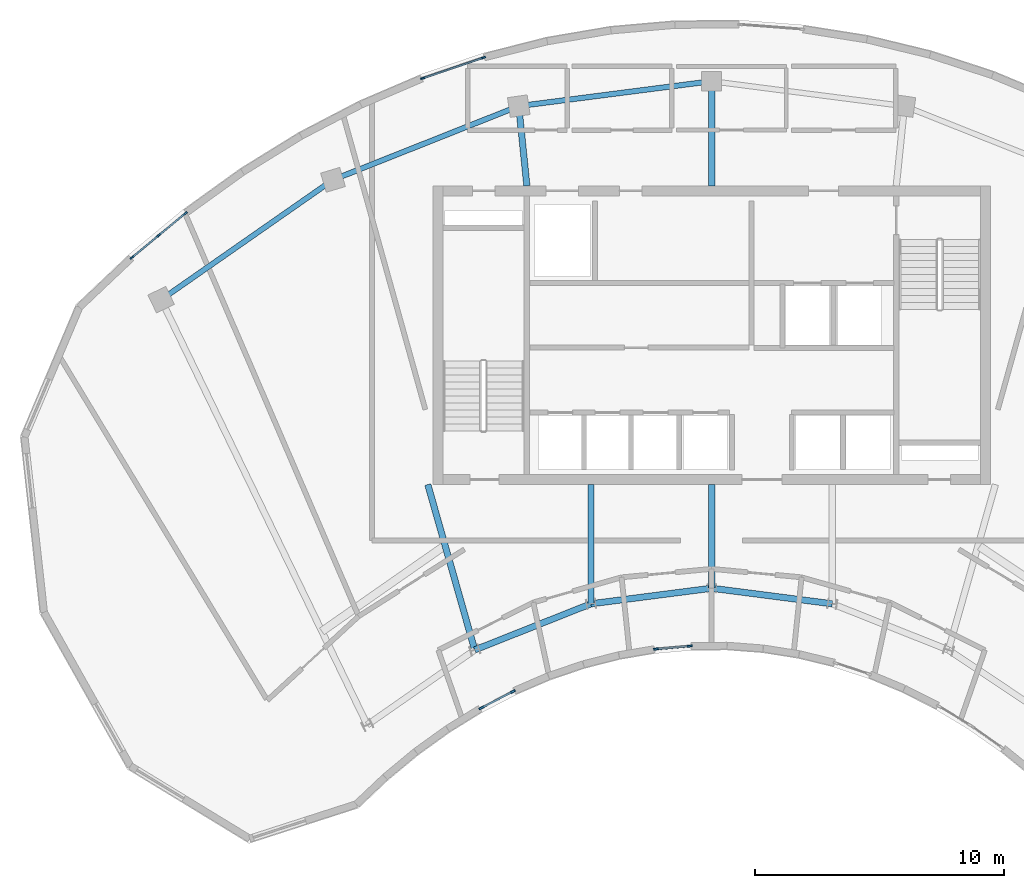
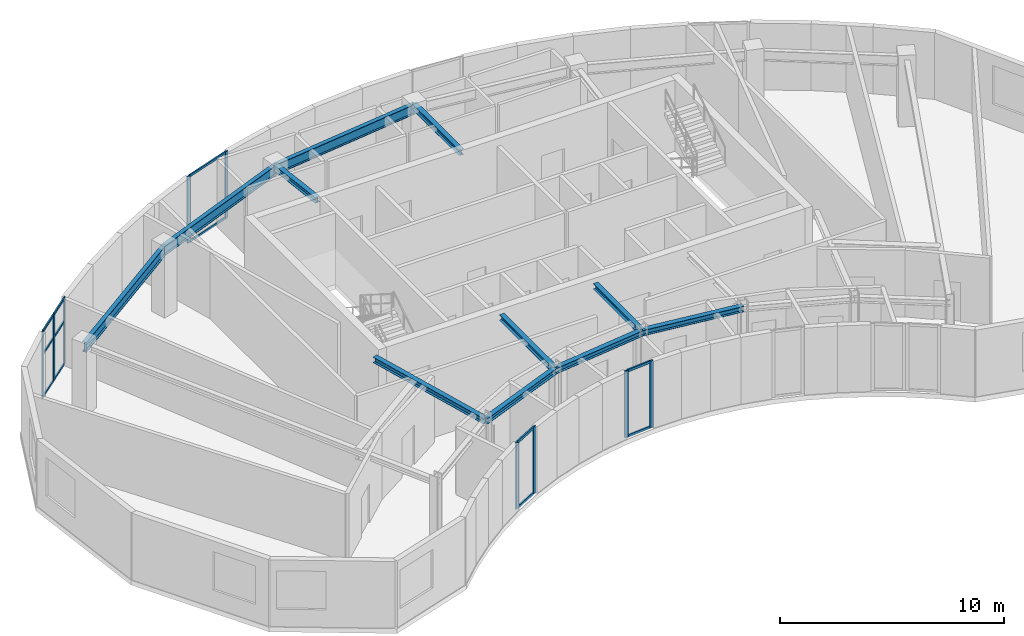
# One storey, part 2 of 9: 21 members, 11 beams, 4 elements without a shape of their own.
"""IFC4 building model written with IfcOpenShell, lengths in metres."""

from ifc_helpers import new_model, si_unit, direction, frame, origin, origin_2d, place, context, subcontext, project, spatial, rectangle, i_section, extrude, source, transform, mapped, material, layer, layer_set, material_profile, profile_set, type_object, element, aggregate, save


model = new_model("IFC4")

# Units and contexts
model_context = context("Model", 3, precision=1e-05, world=origin(), true_north=direction((0.0, 1.0)))
body_context = subcontext(model_context, "Body", "Model", "MODEL_VIEW")
ifc_project = project(units=[si_unit("LENGTHUNIT", "METRE"), si_unit("AREAUNIT", "SQUARE_METRE"), si_unit("VOLUMEUNIT", "CUBIC_METRE"), si_unit("PLANEANGLEUNIT", "RADIAN"), si_unit("MASSUNIT", "GRAM", prefix="KILO")], contexts=[model_context])

# Site, building, storey
site_placement = place(None, origin())
site = spatial("IfcSite", under=ifc_project, at=site_placement, CompositionType="ELEMENT")
building_placement = place(site_placement, origin())
building = spatial("IfcBuilding", under=site, at=building_placement, Name="Breltana Convention Tower", CompositionType="ELEMENT")
storey_placement = place(building_placement, frame((0.0, 0.0, 287.39990234375)))
storey = spatial("IfcBuildingStorey", under=building, at=storey_placement, Name="L70", CompositionType="ELEMENT", Elevation=287.39990234375)

# Beams
ifc_material_1 = material(Name="Steel ASTM A992 Grade 50", Category="steel")
ifc_material_profile_1 = material_profile(ifc_material_1, i_section(OverallWidth=0.214111328125, OverallDepth=0.549072265625, WebThickness=0.0146484375, FlangeThickness=0.023681640625, at=origin_2d()), Name="W21X93")
ifc_profile_set_1 = profile_set([ifc_material_profile_1], Name="Steel ASTM A992 Grade 50")
beam_type_1 = type_object("IfcBeamType", Name="BM-SP-W21X93", PredefinedType="SPANDREL", material=ifc_profile_set_1)
shared_shape_1 = source(origin(), body_context, "Body", "SweptSolid", [
    extrude(i_section(OverallWidth=0.214111328125, OverallDepth=0.549072265625, WebThickness=0.0146484375, FlangeThickness=0.023681640625, at=origin_2d()), origin(), (0.0, 0.0, 1.0), 8.4169921875),
])
beam_1_placement = place(storey_placement, frame((25.8876953125, 67.626953125, 3.365478515625), z_axis=(0.820173800102, 0.572114444519, 0.0), x_axis=(-0.572114444519, 0.820173800102, 0.0)))
element("IfcBeam", 1, at=beam_1_placement, inside=storey, type_object=beam_type_1, Name="L70 Outer Spandrel Beam 03", PredefinedType="SPANDREL", context=body_context, shape_type="MappedRepresentation", body=[
    mapped(shared_shape_1, transform((0.0, 0.0, 0.0), scale=1.0)),
])
shared_shape_2 = source(origin(), body_context, "Body", "SweptSolid", [
    extrude(i_section(OverallWidth=0.214111328125, OverallDepth=0.549072265625, WebThickness=0.0146484375, FlangeThickness=0.023681640625, at=origin_2d()), origin(), (0.0, 0.0, 1.0), 8.028564453125),
])
beam_2_placement = place(storey_placement, frame((32.791015625, 72.4423828125, 3.365478515625), z_axis=(0.929459100394, 0.368925169507, 0.0), x_axis=(-0.368925169507, 0.929459100394, 0.0)))
element("IfcBeam", 2, at=beam_2_placement, inside=storey, type_object=beam_type_1, Name="L70 Outer Spandrel Beam 04", PredefinedType="SPANDREL", context=body_context, shape_type="MappedRepresentation", body=[
    mapped(shared_shape_2, transform((0.0, 0.0, 0.0), scale=1.0)),
])
shared_shape_3 = source(origin(), body_context, "Body", "SweptSolid", [
    extrude(i_section(OverallWidth=0.214111328125, OverallDepth=0.549072265625, WebThickness=0.0146484375, FlangeThickness=0.023681640625, at=origin_2d()), origin(), (0.0, 0.0, 1.0), 7.81103515625),
])
beam_3_placement = place(storey_placement, frame((40.253173828125, 75.404296875, 3.365478515625), z_axis=(0.991775179127, 0.127992164083, 0.0), x_axis=(-0.127992164083, 0.991775179127, 0.0)))
element("IfcBeam", 3, at=beam_3_placement, inside=storey, type_object=beam_type_1, Name="L70 Outer Spandrel Beam 05", PredefinedType="SPANDREL", context=body_context, shape_type="MappedRepresentation", body=[
    mapped(shared_shape_3, transform((0.0, 0.0, 0.0), scale=1.0)),
])
ifc_material_profile_2 = material_profile(ifc_material_1, i_section(OverallWidth=0.25390625, OverallDepth=0.305908203125, WebThickness=0.0087890625, FlangeThickness=0.0146484375, at=origin_2d()), Name="W12X53")
ifc_profile_set_2 = profile_set([ifc_material_profile_2], Name="Steel ASTM A992 Grade 50")
beam_type_2 = type_object("IfcBeamType", Name="BM-CN-W12X53", PredefinedType="BEAM", material=ifc_profile_set_2)
shared_shape_4 = source(origin(), body_context, "Body", "SweptSolid", [
    extrude(i_section(OverallWidth=0.25390625, OverallDepth=0.305908203125, WebThickness=0.0087890625, FlangeThickness=0.0146484375, at=origin_2d()), origin(), (0.0, 0.0, 1.0), 6.904541015625),
])
beam_4_placement = place(storey_placement, frame((36.60009765625, 60.199951171875, 3.487060546875), z_axis=(0.273006781054, -0.962012108811, 0.0), x_axis=(0.962012108811, 0.273006781054, 0.0)))
element("IfcBeam", 4, at=beam_4_placement, inside=storey, type_object=beam_type_2, Name="L70 South Core Tie Girder R04", PredefinedType="BEAM", context=body_context, shape_type="MappedRepresentation", body=[
    mapped(shared_shape_4, transform((0.0, 0.0, 0.0), scale=1.0)),
])
shared_shape_5 = source(origin(), body_context, "Body", "SweptSolid", [
    extrude(i_section(OverallWidth=0.25390625, OverallDepth=0.305908203125, WebThickness=0.0087890625, FlangeThickness=0.0146484375, at=origin_2d()), origin(), (0.0, 0.0, 1.0), 4.789306640625),
])
beam_5_placement = place(storey_placement, frame((43.153564453125, 60.199951171875, 3.487060546875), z_axis=(0.0, -1.0, 0.0), x_axis=(1.0, 0.0, 0.0)))
element("IfcBeam", 5, at=beam_5_placement, inside=storey, type_object=beam_type_2, Name="L70 South Core Tie Girder R05", PredefinedType="BEAM", context=body_context, shape_type="MappedRepresentation", body=[
    mapped(shared_shape_5, transform((0.0, 0.0, 0.0), scale=1.0)),
])
shared_shape_6 = source(origin(), body_context, "Body", "SweptSolid", [
    extrude(i_section(OverallWidth=0.25390625, OverallDepth=0.305908203125, WebThickness=0.0087890625, FlangeThickness=0.0146484375, at=origin_2d()), origin(), (0.0, 0.0, 1.0), 3.220947265625),
])
beam_6_placement = place(storey_placement, frame((40.580078125, 72.199951171875, 3.487060546875), z_axis=(-0.101492254858, 0.994836329355, 0.0), x_axis=(-0.994836329355, -0.101492254858, 0.0)))
element("IfcBeam", 6, at=beam_6_placement, inside=storey, type_object=beam_type_2, Name="L70 North Core Radial Girder R05", PredefinedType="BEAM", context=body_context, shape_type="MappedRepresentation", body=[
    mapped(shared_shape_6, transform((0.0, 0.0, 0.0), scale=1.0)),
])
shared_shape_7 = source(origin(), body_context, "Body", "SweptSolid", [
    extrude(i_section(OverallWidth=0.25390625, OverallDepth=0.305908203125, WebThickness=0.0087890625, FlangeThickness=0.0146484375, at=origin_2d()), origin(), (0.0, 0.0, 1.0), 4.1640625),
])
beam_7_placement = place(storey_placement, frame((48.0, 60.199951171875, 3.487060546875), z_axis=(0.0, -1.0, 0.0), x_axis=(1.0, 0.0, 0.0)))
element("IfcBeam", 7, at=beam_7_placement, inside=storey, type_object=beam_type_2, Name="L70 South Core Tie Girder R06", PredefinedType="BEAM", context=body_context, shape_type="MappedRepresentation", body=[
    mapped(shared_shape_7, transform((0.0, 0.0, 0.0), scale=1.0)),
])
shared_shape_8 = source(origin(), body_context, "Body", "SweptSolid", [
    extrude(i_section(OverallWidth=0.25390625, OverallDepth=0.305908203125, WebThickness=0.0087890625, FlangeThickness=0.0146484375, at=origin_2d()), origin(), (0.0, 0.0, 1.0), 4.2041015625),
])
beam_8_placement = place(storey_placement, frame((48.0, 72.199951171875, 3.487060546875), z_axis=(0.0, 1.0, 0.0), x_axis=(-1.0, 0.0, 0.0)))
element("IfcBeam", 8, at=beam_8_placement, inside=storey, type_object=beam_type_2, Name="L70 North Core Radial Girder R06", PredefinedType="BEAM", context=body_context, shape_type="MappedRepresentation", body=[
    mapped(shared_shape_8, transform((0.0, 0.0, 0.0), scale=1.0)),
])
shared_shape_9 = source(origin(), body_context, "Body", "SweptSolid", [
    extrude(i_section(OverallWidth=0.25390625, OverallDepth=0.305908203125, WebThickness=0.0087890625, FlangeThickness=0.0146484375, at=origin_2d()), origin(), (0.0, 0.0, 1.0), 5.022705078125),
])
beam_9_placement = place(storey_placement, frame((38.485107421875, 53.5576171875, 3.487060546875), z_axis=(0.929458966248, 0.368925507469, 0.0), x_axis=(-0.368925507469, 0.929458966248, 0.0)))
element("IfcBeam", 9, at=beam_9_placement, inside=storey, type_object=beam_type_2, Name="L70 Inner Ring Beam 04", PredefinedType="BEAM", context=body_context, shape_type="MappedRepresentation", body=[
    mapped(shared_shape_9, transform((0.0, 0.0, 0.0), scale=1.0)),
])
shared_shape_10 = source(origin(), body_context, "Body", "SweptSolid", [
    extrude(i_section(OverallWidth=0.25390625, OverallDepth=0.305908203125, WebThickness=0.0087890625, FlangeThickness=0.0146484375, at=origin_2d()), origin(), (0.0, 0.0, 1.0), 4.88671875),
])
for number, where, z_axis, x_axis, name in (
    (10, (43.153564453125, 55.41064453125, 3.487060546875), (0.991780525565, 0.127950729231, 0.0), (-0.127950729231, 0.991780525565, 0.0), "L70 Inner Ring Beam 05"),
    (11, (48.0, 56.035888671875, 3.487060546875), (0.991780525565, -0.127950729231, 0.0), (0.127950729231, 0.991780525565, 0.0), "L70 Inner Ring Beam 06"),
):
    element("IfcBeam", number, at=place(storey_placement, frame(where, z_axis=z_axis, x_axis=x_axis)), inside=storey, type_object=beam_type_2, Name=name, PredefinedType="BEAM", context=body_context, shape_type="MappedRepresentation", body=[
        mapped(shared_shape_10, transform((0.0, 0.0, 0.0), scale=1.0)),
    ])

# Curtain wall, members
ifc_material_2 = material(Name="Aluminium Anodised Bronze Frame", Category="aluminium")
ifc_layer_1 = layer(ifc_material_2, 0.18994140625, Name="Aluminium Anodised Bronze Frame")
ifc_layer_set_1 = layer_set([ifc_layer_1], Name="Aluminium Anodised Bronze Frame")
curtain_wall_type_1 = type_object("IfcCurtainWallType", Name="CW-SYS-1", PredefinedType="NOTDEFINED", material=ifc_layer_set_1)
curtain_wall_1_placement = place(storey_placement, origin())
curtain_wall_1 = element("IfcCurtainWall", 12, at=curtain_wall_1_placement, inside=storey, type_object=curtain_wall_type_1, Name="L70 inner south-court glazing 4", PredefinedType="NOTDEFINED")
ifc_material_3 = material(Name="Aluminium Anodised Bronze", Category="aluminium")
ifc_material_profile_3 = material_profile(ifc_material_3, rectangle(XDim=0.080078125, YDim=0.199951171875, at=origin_2d()), Name="CWM-80X200")
ifc_profile_set_3 = profile_set([ifc_material_profile_3], Name="Aluminium Anodised Bronze")
member_type_1 = type_object("IfcMemberType", Name="CWM-200", PredefinedType="MULLION", material=ifc_profile_set_3)
shared_shape_11 = source(origin(), body_context, "Body", "SweptSolid", [
    extrude(rectangle(XDim=0.080078125, YDim=0.199951171875, at=origin_2d()), origin(), (0.0, 0.0, 1.0), 3.64013671875),
])
member_1_placement = place(storey_placement, frame((47.12255859375, 53.713623046875, 0.0), z_axis=(0.0, 0.0, 1.0), x_axis=(0.087519079336, -0.996162843491, 0.0)))
member_1 = element("IfcMember", 13, at=member_1_placement, type_object=member_type_1, Name="CW-01 mullion 1", PredefinedType="MULLION", context=body_context, shape_type="MappedRepresentation", body=[
    mapped(shared_shape_11, transform((0.0, 0.0, 0.0), scale=1.0)),
])
member_2_placement = place(storey_placement, frame((45.766845703125, 53.594482421875, 0.0), z_axis=(0.0, 0.0, 1.0), x_axis=(0.087519079336, -0.996162843491, 0.0)))
member_2 = element("IfcMember", 14, at=member_2_placement, type_object=member_type_1, Name="CW-01 mullion 2", PredefinedType="MULLION", context=body_context, shape_type="MappedRepresentation", body=[
    mapped(shared_shape_11, transform((0.0, 0.0, 0.0), scale=1.0)),
])

curtain_wall_2_placement = place(storey_placement, origin())
curtain_wall_2 = element("IfcCurtainWall", 15, at=curtain_wall_2_placement, inside=storey, type_object=curtain_wall_type_1, Name="L70 inner south-court glazing 5", PredefinedType="NOTDEFINED")
member_3_placement = place(storey_placement, frame((40.02001953125, 51.887939453125, 0.0), z_axis=(0.0, 0.0, 1.0), x_axis=(0.462102455484, -0.886826544842, 0.0)))
member_3 = element("IfcMember", 16, at=member_3_placement, type_object=member_type_1, Name="CW-01 mullion 1", PredefinedType="MULLION", context=body_context, shape_type="MappedRepresentation", body=[
    mapped(shared_shape_11, transform((0.0, 0.0, 0.0), scale=1.0)),
])
member_4_placement = place(storey_placement, frame((38.75048828125, 51.2265625, 0.0), z_axis=(0.0, 0.0, 1.0), x_axis=(0.462102455484, -0.886826544842, 0.0)))
member_4 = element("IfcMember", 17, at=member_4_placement, type_object=member_type_1, Name="CW-01 mullion 2", PredefinedType="MULLION", context=body_context, shape_type="MappedRepresentation", body=[
    mapped(shared_shape_11, transform((0.0, 0.0, 0.0), scale=1.0)),
])

ifc_layer_2 = layer(ifc_material_2, 0.22998046875, Name="Aluminium Anodised Bronze Frame")
ifc_layer_set_2 = layer_set([ifc_layer_2], Name="Aluminium Anodised Bronze Frame")
curtain_wall_type_2 = type_object("IfcCurtainWallType", Name="CW-SYS-5", PredefinedType="NOTDEFINED", material=ifc_layer_set_2)
curtain_wall_3_placement = place(storey_placement, origin())
curtain_wall_3 = element("IfcCurtainWall", 18, at=curtain_wall_3_placement, inside=storey, type_object=curtain_wall_type_2, Name="L70 outer double-skin inner glazing 1", PredefinedType="NOTDEFINED")
ifc_material_profile_4 = material_profile(ifc_material_3, rectangle(XDim=0.070068359375, YDim=0.175048828125, at=origin_2d()), Name="CWM-70X175")
ifc_profile_set_4 = profile_set([ifc_material_profile_4], Name="Aluminium Anodised Bronze")
member_type_2 = type_object("IfcMemberType", Name="CWM-175", PredefinedType="MULLION", material=ifc_profile_set_4)
shared_shape_12 = source(origin(), body_context, "Body", "SweptSolid", [
    extrude(rectangle(XDim=0.070068359375, YDim=0.175048828125, at=origin_2d()), origin(), (0.0, 0.0, 1.0), 3.64013671875),
])
member_5_placement = place(storey_placement, frame((24.716796875, 69.321533203125, 0.0), z_axis=(0.0, 0.0, 1.0), x_axis=(-0.638320160979, 0.76977098678, 0.0)))
member_5 = element("IfcMember", 19, at=member_5_placement, type_object=member_type_2, Name="CW-05 mullion 1", PredefinedType="MULLION", context=body_context, shape_type="MappedRepresentation", body=[
    mapped(shared_shape_12, transform((0.0, 0.0, 0.0), scale=1.0)),
])
member_6_placement = place(storey_placement, frame((25.78759765625, 70.209228515625, 0.0), z_axis=(0.0, 0.0, 1.0), x_axis=(-0.638320160979, 0.76977098678, 0.0)))
member_6 = element("IfcMember", 20, at=member_6_placement, type_object=member_type_2, Name="CW-05 mullion 2", PredefinedType="MULLION", context=body_context, shape_type="MappedRepresentation", body=[
    mapped(shared_shape_12, transform((0.0, 0.0, 0.0), scale=1.0)),
])
member_7_placement = place(storey_placement, frame((26.858154296875, 71.09716796875, 0.0), z_axis=(0.0, 0.0, 1.0), x_axis=(-0.638320160979, 0.76977098678, 0.0)))
member_7 = element("IfcMember", 21, at=member_7_placement, type_object=member_type_2, Name="CW-05 mullion 3", PredefinedType="MULLION", context=body_context, shape_type="MappedRepresentation", body=[
    mapped(shared_shape_12, transform((0.0, 0.0, 0.0), scale=1.0)),
])

curtain_wall_4_placement = place(storey_placement, origin())
curtain_wall_4 = element("IfcCurtainWall", 22, at=curtain_wall_4_placement, inside=storey, type_object=curtain_wall_type_2, Name="L70 outer double-skin inner glazing 2", PredefinedType="NOTDEFINED")
member_8_placement = place(storey_placement, frame((36.39697265625, 76.5224609375, 0.0), z_axis=(0.0, 0.0, 1.0), x_axis=(-0.322186529445, 0.946676206654, 0.0)))
member_8 = element("IfcMember", 23, at=member_8_placement, type_object=member_type_2, Name="CW-05 mullion 1", PredefinedType="MULLION", context=body_context, shape_type="MappedRepresentation", body=[
    mapped(shared_shape_12, transform((0.0, 0.0, 0.0), scale=1.0)),
])
member_9_placement = place(storey_placement, frame((38.830322265625, 77.3505859375, 0.0), z_axis=(0.0, 0.0, 1.0), x_axis=(-0.322186529445, 0.946676206654, 0.0)))
member_9 = element("IfcMember", 24, at=member_9_placement, type_object=member_type_2, Name="CW-05 mullion 2", PredefinedType="MULLION", context=body_context, shape_type="MappedRepresentation", body=[
    mapped(shared_shape_12, transform((0.0, 0.0, 0.0), scale=1.0)),
])

# Member
ifc_material_profile_5 = material_profile(ifc_material_3, rectangle(XDim=0.070068359375, YDim=0.1201171875, at=origin_2d()), Name="CWT-70X120")
ifc_profile_set_5 = profile_set([ifc_material_profile_5], Name="Aluminium Anodised Bronze")
member_type_3 = type_object("IfcMemberType", Name="CWT-120", PredefinedType="USERDEFINED", material=ifc_profile_set_5)
shared_shape_13 = source(origin(), body_context, "Body", "SweptSolid", [
    extrude(rectangle(XDim=0.070068359375, YDim=0.1201171875, at=origin_2d()), origin(), (0.0, 0.0, 1.0), 1.321044921875),
])
member_10_placement = place(storey_placement, frame((24.74365234375, 69.34375, 0.03515625), z_axis=(0.769749100727, 0.63834655316, 0.0), x_axis=(-0.63834655316, 0.769749100727, 0.0)))
member_10 = element("IfcMember", 25, at=member_10_placement, type_object=member_type_3, Name="CW-05 transom 1.1", ObjectType="TRANSOM", PredefinedType="USERDEFINED", context=body_context, shape_type="MappedRepresentation", body=[
    mapped(shared_shape_13, transform((0.0, 0.0, 0.0), scale=1.0)),
])

member_11_placement = place(storey_placement, frame((24.74365234375, 69.34375, 2.3662109375), z_axis=(0.769749100727, 0.63834655316, 0.0), x_axis=(-0.63834655316, 0.769749100727, 0.0)))
member_11 = element("IfcMember", 26, at=member_11_placement, type_object=member_type_3, Name="CW-05 transom 1.2", ObjectType="TRANSOM", PredefinedType="USERDEFINED", context=body_context, shape_type="MappedRepresentation", body=[
    mapped(shared_shape_13, transform((0.0, 0.0, 0.0), scale=1.0)),
])

member_12_placement = place(storey_placement, frame((24.74365234375, 69.34375, 3.60498046875), z_axis=(0.769749100727, 0.63834655316, 0.0), x_axis=(-0.63834655316, 0.769749100727, 0.0)))
member_12 = element("IfcMember", 27, at=member_12_placement, type_object=member_type_3, Name="CW-05 transom 1.3", ObjectType="TRANSOM", PredefinedType="USERDEFINED", context=body_context, shape_type="MappedRepresentation", body=[
    mapped(shared_shape_13, transform((0.0, 0.0, 0.0), scale=1.0)),
])

member_13_placement = place(storey_placement, frame((25.814453125, 70.231689453125, 0.03515625), z_axis=(0.769749100727, 0.63834655316, 0.0), x_axis=(-0.63834655316, 0.769749100727, 0.0)))
member_13 = element("IfcMember", 28, at=member_13_placement, type_object=member_type_3, Name="CW-05 transom 2.1", ObjectType="TRANSOM", PredefinedType="USERDEFINED", context=body_context, shape_type="MappedRepresentation", body=[
    mapped(shared_shape_13, transform((0.0, 0.0, 0.0), scale=1.0)),
])

member_14_placement = place(storey_placement, frame((25.814453125, 70.231689453125, 2.3662109375), z_axis=(0.769749100727, 0.63834655316, 0.0), x_axis=(-0.63834655316, 0.769749100727, 0.0)))
member_14 = element("IfcMember", 29, at=member_14_placement, type_object=member_type_3, Name="CW-05 transom 2.2", ObjectType="TRANSOM", PredefinedType="USERDEFINED", context=body_context, shape_type="MappedRepresentation", body=[
    mapped(shared_shape_13, transform((0.0, 0.0, 0.0), scale=1.0)),
])

member_15_placement = place(storey_placement, frame((25.814453125, 70.231689453125, 3.60498046875), z_axis=(0.769749100727, 0.63834655316, 0.0), x_axis=(-0.63834655316, 0.769749100727, 0.0)))
member_15 = element("IfcMember", 30, at=member_15_placement, type_object=member_type_3, Name="CW-05 transom 2.3", ObjectType="TRANSOM", PredefinedType="USERDEFINED", context=body_context, shape_type="MappedRepresentation", body=[
    mapped(shared_shape_13, transform((0.0, 0.0, 0.0), scale=1.0)),
])

aggregate(curtain_wall_3, [member_5, member_6, member_7, member_10, member_11, member_12, member_13, member_14, member_15])

ifc_material_profile_6 = material_profile(ifc_material_3, rectangle(XDim=0.080078125, YDim=0.139892578125, at=origin_2d()), Name="CWT-80X140")
ifc_profile_set_6 = profile_set([ifc_material_profile_6], Name="Aluminium Anodised Bronze")
member_type_4 = type_object("IfcMemberType", Name="CWT-140", PredefinedType="USERDEFINED", material=ifc_profile_set_6)
shared_shape_14 = source(origin(), body_context, "Body", "SweptSolid", [
    extrude(rectangle(XDim=0.080078125, YDim=0.139892578125, at=origin_2d()), origin(), (0.0, 0.0, 1.0), 1.28076171875),
])
member_16_placement = place(storey_placement, frame((47.08251953125, 53.710205078125, 0.0400390625), z_axis=(-0.996148479947, -0.087682414997, 0.0), x_axis=(0.087682414997, -0.996148479947, 0.0)))
member_16 = element("IfcMember", 31, at=member_16_placement, type_object=member_type_4, Name="CW-01 transom 1.1", ObjectType="TRANSOM", PredefinedType="USERDEFINED", context=body_context, shape_type="MappedRepresentation", body=[
    mapped(shared_shape_14, transform((0.0, 0.0, 0.0), scale=1.0)),
])

member_17_placement = place(storey_placement, frame((47.08251953125, 53.710205078125, 3.60009765625), z_axis=(-0.996148479947, -0.087682414997, 0.0), x_axis=(0.087682414997, -0.996148479947, 0.0)))
member_17 = element("IfcMember", 32, at=member_17_placement, type_object=member_type_4, Name="CW-01 transom 1.2", ObjectType="TRANSOM", PredefinedType="USERDEFINED", context=body_context, shape_type="MappedRepresentation", body=[
    mapped(shared_shape_14, transform((0.0, 0.0, 0.0), scale=1.0)),
])

aggregate(curtain_wall_1, [member_1, member_2, member_16, member_17])

shared_shape_15 = source(origin(), body_context, "Body", "SweptSolid", [
    extrude(rectangle(XDim=0.080078125, YDim=0.139892578125, at=origin_2d()), origin(), (0.0, 0.0, 1.0), 1.3515625),
])
member_18_placement = place(storey_placement, frame((39.984619140625, 51.86962890625, 0.0400390625), z_axis=(-0.886749054893, -0.462251136987, 0.0), x_axis=(0.462251136987, -0.886749054893, 0.0)))
member_18 = element("IfcMember", 33, at=member_18_placement, type_object=member_type_4, Name="CW-01 transom 1.1", ObjectType="TRANSOM", PredefinedType="USERDEFINED", context=body_context, shape_type="MappedRepresentation", body=[
    mapped(shared_shape_15, transform((0.0, 0.0, 0.0), scale=1.0)),
])

member_19_placement = place(storey_placement, frame((39.984619140625, 51.86962890625, 3.60009765625), z_axis=(-0.886749054893, -0.462251136987, 0.0), x_axis=(0.462251136987, -0.886749054893, 0.0)))
member_19 = element("IfcMember", 34, at=member_19_placement, type_object=member_type_4, Name="CW-01 transom 1.2", ObjectType="TRANSOM", PredefinedType="USERDEFINED", context=body_context, shape_type="MappedRepresentation", body=[
    mapped(shared_shape_15, transform((0.0, 0.0, 0.0), scale=1.0)),
])

aggregate(curtain_wall_2, [member_3, member_4, member_18, member_19])

shared_shape_16 = source(origin(), body_context, "Body", "SweptSolid", [
    extrude(rectangle(XDim=0.070068359375, YDim=0.1201171875, at=origin_2d()), origin(), (0.0, 0.0, 1.0), 2.500244140625),
])
member_20_placement = place(storey_placement, frame((36.43017578125, 76.53369140625, 0.03515625), z_axis=(0.946662581266, 0.322226561957, 0.0), x_axis=(-0.322226561957, 0.946662581266, 0.0)))
member_20 = element("IfcMember", 35, at=member_20_placement, type_object=member_type_3, Name="CW-05 transom 1.1", ObjectType="TRANSOM", PredefinedType="USERDEFINED", context=body_context, shape_type="MappedRepresentation", body=[
    mapped(shared_shape_16, transform((0.0, 0.0, 0.0), scale=1.0)),
])

member_21_placement = place(storey_placement, frame((36.43017578125, 76.53369140625, 3.60498046875), z_axis=(0.946662581266, 0.322226561957, 0.0), x_axis=(-0.322226561957, 0.946662581266, 0.0)))
member_21 = element("IfcMember", 36, at=member_21_placement, type_object=member_type_3, Name="CW-05 transom 1.2", ObjectType="TRANSOM", PredefinedType="USERDEFINED", context=body_context, shape_type="MappedRepresentation", body=[
    mapped(shared_shape_16, transform((0.0, 0.0, 0.0), scale=1.0)),
])

aggregate(curtain_wall_4, [member_8, member_9, member_20, member_21])

save(model, "model.ifc")
